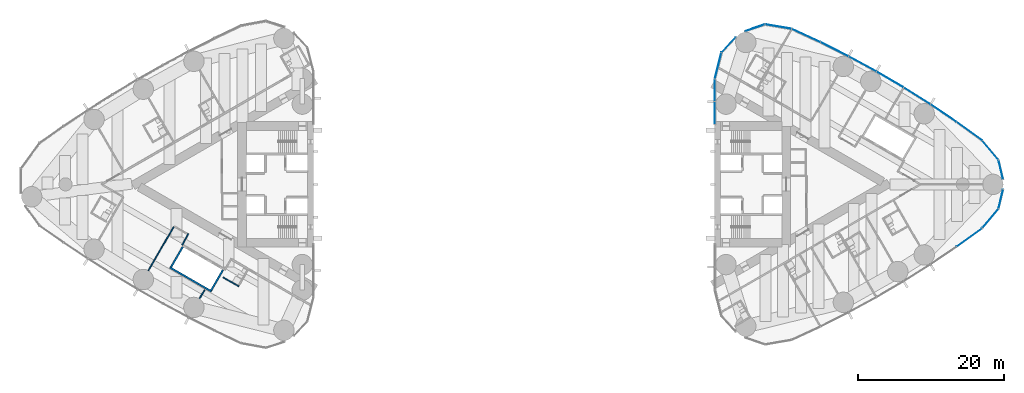
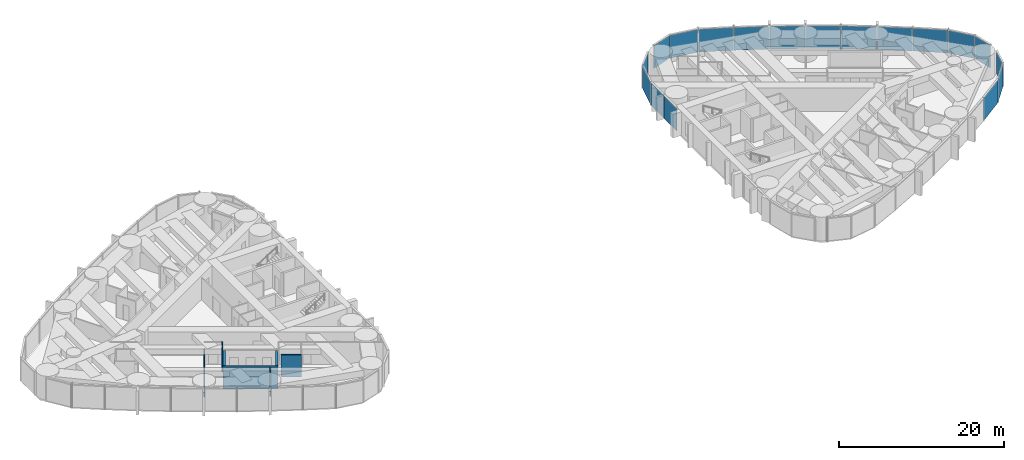
# One storey, part 11 of 19: 18 plates, 7 walls, 3 elements without a shape of their own.
"""IFC4 building model written with IfcOpenShell, lengths in metres."""

import ifcopenshell
import ifcopenshell.guid

model = None  # the IFC model being written
_history = None  # IfcOwnerHistory: only IFC2X3 demands one
_inside = {}  # id of a spatial element -> (the spatial element, [elements in it])
_under = {}  # id of a project, library or spatial element -> (it, [spatial elements below it])
_declared = {}  # id of a project -> (the project, [libraries it declares])
_typed = {}  # id of a type object -> (the type object, [elements of that type])
_made_of = {}  # id of a material, layer set ... -> (it, [elements and type objects made of it])


def new_model(schema):
    """Start an empty IFC model of exactly this schema.

    Asked for "IFC4X3", IfcOpenShell would pick the latest addendum, in which some entities
    have other attributes; the version numbers below select the first issue.
    IFC2X3 requires an IfcOwnerHistory on every rooted entity: one is made here for all.
    """
    global model, _history
    if schema == "IFC4X3":
        model = ifcopenshell.file(schema_version=(4, 3, 0, 0))
    else:
        model = ifcopenshell.file(schema=schema)
    _inside.clear()
    _under.clear()
    _declared.clear()
    _typed.clear()
    _made_of.clear()
    _history = None
    if model.schema == "IFC2X3":
        org = make("IfcOrganization", Name="unknown")
        user = make(
            "IfcPersonAndOrganization",
            ThePerson=make("IfcPerson", FamilyName="unknown"),
            TheOrganization=org,
        )
        app = make(
            "IfcApplication",
            ApplicationDeveloper=org,
            Version="unknown",
            ApplicationFullName="unknown",
            ApplicationIdentifier="unknown",
        )
        _history = make(
            "IfcOwnerHistory",
            OwningUser=user,
            OwningApplication=app,
            ChangeAction="ADDED",
            CreationDate=0,
        )
    return model


def make(cls, **values):
    """One entity of the class cls with the attributes given. An attribute that is None is left unset."""
    return model.create_entity(
        cls, **{name: value for name, value in values.items() if value is not None}
    )


def rooted(cls, **values):
    """An entity with a GlobalId (a new one), such as an element, a storey or a relation."""
    return make(cls, GlobalId=ifcopenshell.guid.new(), OwnerHistory=_history, **values)


def si_unit(unit_type, name, prefix=None):
    """IfcSIUnit, for example si_unit("LENGTHUNIT", "METRE", prefix="MILLI")."""
    return make("IfcSIUnit", UnitType=unit_type, Prefix=prefix, Name=name)


def assignment(units):
    """IfcUnitAssignment: the units of a project."""
    return None if units is None else make("IfcUnitAssignment", Units=units)


def point(xyz):
    """IfcCartesianPoint."""
    return None if xyz is None else make("IfcCartesianPoint", Coordinates=xyz)


def direction(xyz):
    """IfcDirection."""
    return None if xyz is None else make("IfcDirection", DirectionRatios=xyz)


def frame(location, z_axis=None, x_axis=None):
    """IfcAxis2Placement3D, a coordinate frame: its origin and axes. An axis left out is left unset."""
    return make(
        "IfcAxis2Placement3D",
        Location=point(location),
        Axis=direction(z_axis),
        RefDirection=direction(x_axis),
    )


def frame_2d(location, x_axis=None):
    """IfcAxis2Placement2D, a coordinate frame in the plane: its origin and x axis."""
    return make(
        "IfcAxis2Placement2D", Location=point(location), RefDirection=direction(x_axis)
    )


def origin():
    """The frame at (0, 0, 0) with its axes left unset."""
    return frame((0.0, 0.0, 0.0))


def origin_2d():
    """The frame at (0, 0) in the plane with its x axis left unset."""
    return frame_2d((0.0, 0.0))


def place(relative_to, where):
    """IfcLocalPlacement: puts the frame where relative to a parent placement (None: the world)."""
    return make(
        "IfcLocalPlacement", PlacementRelTo=relative_to, RelativePlacement=where
    )


def context(
    kind, dimensions, precision=None, world=None, true_north=None, identifier=None
):
    """IfcGeometricRepresentationContext, for example the 3D "Model" context."""
    return make(
        "IfcGeometricRepresentationContext",
        ContextIdentifier=identifier,
        ContextType=kind,
        CoordinateSpaceDimension=dimensions,
        Precision=precision,
        WorldCoordinateSystem=world,
        TrueNorth=true_north,
    )


def subcontext(parent, identifier, kind, view, scale=None):
    """IfcGeometricRepresentationSubContext, for example "Body" below "Model"."""
    return make(
        "IfcGeometricRepresentationSubContext",
        ContextIdentifier=identifier,
        ContextType=kind,
        ParentContext=parent,
        TargetScale=scale,
        TargetView=view,
    )


def project(units=None, contexts=None):
    """IfcProject with its units and contexts."""
    return rooted(
        "IfcProject",
        Name="project",
        RepresentationContexts=contexts,
        UnitsInContext=assignment(units),
    )


def spatial(cls, under=None, at=None, **own):
    """A site, building, storey or space (cls), placed at a placement, below another one or the project."""
    s = rooted(cls, ObjectPlacement=at, **own)
    if under is not None:
        _under.setdefault(under.id(), (under, []))[1].append(s)
    return s


def profile(cls, at=None, kind="AREA", **sizes):
    """A parametric profile (cls). Its sizes go by their IFC names, for example OverallWidth=200.0."""
    return make(cls, ProfileType=kind, Position=at, **sizes)


def rectangle(**sizes):
    """IfcRectangleProfileDef."""
    return profile("IfcRectangleProfileDef", **sizes)


def extrude(swept, where, along, depth):
    """IfcExtrudedAreaSolid: the profile swept, set in the frame where, extruded along a direction by depth."""
    return make(
        "IfcExtrudedAreaSolid",
        SweptArea=swept,
        Position=where,
        ExtrudedDirection=direction(along),
        Depth=depth,
    )


def shape(context_of_items, identifier, shape_type, items):
    """IfcShapeRepresentation: the items that make up one representation, for example the "Body"."""
    return make(
        "IfcShapeRepresentation",
        ContextOfItems=context_of_items,
        RepresentationIdentifier=identifier,
        RepresentationType=shape_type,
        Items=items,
    )


def material(Name=None, Category=None):
    """IfcMaterial."""
    return make("IfcMaterial", Name=Name, Category=Category)


def layer(
    of_material, thickness, ventilated=None, Name=None, Category=None, Priority=None
):
    """IfcMaterialLayer: one layer of a wall or slab, of a material (None: an air gap)."""
    return make(
        "IfcMaterialLayer",
        Material=of_material,
        LayerThickness=thickness,
        IsVentilated=ventilated,
        Name=Name,
        Category=Category,
        Priority=Priority,
    )


def layer_set(layers, Name=None):
    """IfcMaterialLayerSet."""
    return make("IfcMaterialLayerSet", MaterialLayers=layers, LayerSetName=Name)


def made_of(thing, what):
    """Note that an element or type object is made of a material, layer set ...; save() writes the relation."""
    if what is not None:
        _made_of.setdefault(what.id(), (what, []))[1].append(thing)
    return thing


def type_object(cls, material=None, **own):
    """A type object (cls), such as IfcWallType, which elements share."""
    return made_of(rooted(cls, **own), material)


def element(
    cls,
    number,
    at=None,
    inside=None,
    cuts=None,
    type_object=None,
    material=None,
    context=None,
    identifier="Body",
    shape_type=None,
    held_by="IfcProductDefinitionShape",
    body=None,
    shapes=None,
    **own,
):
    """One element of the class cls, such as IfcWall. Its Tag is "e" and its number.

    at: its placement. inside: the storey or other place that contains it. cuts: it is an
    opening in that element (IfcRelVoidsElement). A single representation is given by context,
    identifier, shape_type and body (its items); several are given by shapes. held_by: the class
    of the entity that holds the representations. save() writes the other relations.
    """
    e = rooted(cls, Tag="e%d" % number, ObjectPlacement=at, **own)
    if body is not None:
        shapes = [shape(context, identifier, shape_type, body)]
    if shapes is not None:
        e.Representation = make(held_by, Representations=shapes)
    if inside is not None:
        _inside.setdefault(inside.id(), (inside, []))[1].append(e)
    if cuts is not None:
        rooted(
            "IfcRelVoidsElement", RelatingBuildingElement=cuts, RelatedOpeningElement=e
        )
    if type_object is not None:
        _typed.setdefault(type_object.id(), (type_object, []))[1].append(e)
    return made_of(e, material)


def aggregate(whole, parts):
    """IfcRelAggregates: a whole, such as a stair, and the parts it consists of."""
    return rooted("IfcRelAggregates", RelatingObject=whole, RelatedObjects=parts)


def save(model, path):
    """Write the relations noted so far, then the file.

    IfcRelAggregates (storeys below a building ...), IfcRelContainedInSpatialStructure (elements
    in a storey), IfcRelDefinesByType, IfcRelAssociatesMaterial and IfcRelDeclares: one each for
    every whole, place, type object, material and project.
    """
    for whole, parts in _under.values():
        aggregate(whole, parts)
    for where, things in _inside.values():
        rooted(
            "IfcRelContainedInSpatialStructure",
            RelatedElements=things,
            RelatingStructure=where,
        )
    for kind, things in _typed.values():
        rooted("IfcRelDefinesByType", RelatedObjects=things, RelatingType=kind)
    for what, things in _made_of.values():
        rooted("IfcRelAssociatesMaterial", RelatedObjects=things, RelatingMaterial=what)
    for by, libraries in _declared.values():
        rooted("IfcRelDeclares", RelatingContext=by, RelatedDefinitions=libraries)
    model.write(path)


model = new_model("IFC4")

# Units and contexts
model_context = context("Model", 3, precision=1e-05, world=origin(), true_north=direction((0.0, 1.0)))
body_context = subcontext(model_context, "Body", "Model", "MODEL_VIEW")
ifc_project = project(units=[si_unit("LENGTHUNIT", "METRE"), si_unit("AREAUNIT", "SQUARE_METRE"), si_unit("VOLUMEUNIT", "CUBIC_METRE"), si_unit("PLANEANGLEUNIT", "RADIAN"), si_unit("MASSUNIT", "GRAM", prefix="KILO")], contexts=[model_context])

# Site, building, storey
site_placement = place(None, origin())
site = spatial("IfcSite", under=ifc_project, at=site_placement, CompositionType="ELEMENT")
building_placement = place(site_placement, origin())
building = spatial("IfcBuilding", under=site, at=building_placement, Name="Lancet Gate Hotel", CompositionType="ELEMENT")
storey_placement = place(building_placement, frame((0.0, 0.0, 191.300048828125)))
storey = spatial("IfcBuildingStorey", under=building, at=storey_placement, Name="L51", CompositionType="ELEMENT", Elevation=191.300048828125)

# Curtain wall, plates
ifc_material_1 = material(Name="Aluminium curtain wall", Category="aluminium")
curtain_wall_type = type_object("IfcCurtainWallType", Name="Tower unitised curtain wall", PredefinedType="USERDEFINED", material=ifc_material_1)
curtain_wall_1_placement = place(storey_placement, origin())
curtain_wall_1 = element("IfcCurtainWall", 1, at=curtain_wall_1_placement, inside=storey, type_object=curtain_wall_type, Name="T2 L51 curtain wall 2", ObjectType="UNITISED CURTAIN WALL", PredefinedType="USERDEFINED")
ifc_material_2 = material(Name="Glass double glazed unit 8-16-6", Category="glass")
ifc_layer_1 = layer(ifc_material_2, 0.030029296875)
ifc_layer_set_1 = layer_set([ifc_layer_1], Name="Vision panel double glazed")
plate_type = type_object("IfcPlateType", Name="Vision panel double glazed", PredefinedType="CURTAIN_PANEL", material=ifc_layer_set_1)
plate_1_placement = place(storey_placement, frame((62.417236328125, -7.279541015625, 0.0), z_axis=(0.0, 0.0, 1.0), x_axis=(0.810891442127, 0.585196607206, 0.0)))
plate_1 = element("IfcPlate", 2, at=plate_1_placement, type_object=plate_type, Name="T2 L51 curtain wall 2 panel 9", PredefinedType="CURTAIN_PANEL", context=body_context, shape_type="SweptSolid", body=[
    extrude(rectangle(XDim=4.26904296875, YDim=0.030029296875, at=origin_2d()), origin(), (0.0, 0.0, 1.0), 3.35009765625),
])
plate_2_placement = place(storey_placement, frame((65.283935546875, -4.68701171875, 0.0), z_axis=(0.0, 0.0, 1.0), x_axis=(0.642198636854, 0.766538264422, 0.0)))
plate_2 = element("IfcPlate", 3, at=plate_2_placement, type_object=plate_type, Name="T2 L51 curtain wall 2 panel 10", PredefinedType="CURTAIN_PANEL", context=body_context, shape_type="SweptSolid", body=[
    extrude(rectangle(XDim=3.390380859375, YDim=0.030029296875, at=origin_2d()), origin(), (0.0, 0.0, 1.0), 3.35009765625),
])
plate_3_placement = place(storey_placement, frame((66.710693359375, -2.0234375, 0.0), z_axis=(0.0, 0.0, 1.0), x_axis=(0.230366568544, 0.973103922558, 0.0)))
plate_3 = element("IfcPlate", 4, at=plate_3_placement, type_object=plate_type, Name="T2 L51 curtain wall 2 panel 11", PredefinedType="CURTAIN_PANEL", context=body_context, shape_type="SweptSolid", body=[
    extrude(rectangle(XDim=2.687255859375, YDim=0.030029296875, at=origin_2d()), origin(), (0.0, 0.0, 1.0), 3.35009765625),
])
aggregate(curtain_wall_1, [plate_1, plate_2, plate_3])

curtain_wall_2_placement = place(storey_placement, origin())
curtain_wall_2 = element("IfcCurtainWall", 5, at=curtain_wall_2_placement, inside=storey, type_object=curtain_wall_type, Name="T2 L51 curtain wall 3", ObjectType="UNITISED CURTAIN WALL", PredefinedType="USERDEFINED")
plate_4_placement = place(storey_placement, frame((66.710693359375, 2.0234375, 0.0), z_axis=(0.0, 0.0, 1.0), x_axis=(-0.230366568544, 0.973103922558, 0.0)))
plate_4 = element("IfcPlate", 6, at=plate_4_placement, type_object=plate_type, Name="T2 L51 curtain wall 3 panel 1", PredefinedType="CURTAIN_PANEL", context=body_context, shape_type="SweptSolid", body=[
    extrude(rectangle(XDim=2.687255859375, YDim=0.030029296875, at=origin_2d()), origin(), (0.0, 0.0, 1.0), 3.35009765625),
])
plate_5_placement = place(storey_placement, frame((65.283935546875, 4.68701171875, 0.0), z_axis=(0.0, 0.0, 1.0), x_axis=(-0.642198636854, 0.766538264422, 0.0)))
plate_5 = element("IfcPlate", 7, at=plate_5_placement, type_object=plate_type, Name="T2 L51 curtain wall 3 panel 2", PredefinedType="CURTAIN_PANEL", context=body_context, shape_type="SweptSolid", body=[
    extrude(rectangle(XDim=3.390380859375, YDim=0.030029296875, at=origin_2d()), origin(), (0.0, 0.0, 1.0), 3.35009765625),
])
plate_6_placement = place(storey_placement, frame((62.417236328125, 7.279541015625, 0.0), z_axis=(0.0, 0.0, 1.0), x_axis=(-0.810891442127, 0.585196607206, 0.0)))
plate_6 = element("IfcPlate", 8, at=plate_6_placement, type_object=plate_type, Name="T2 L51 curtain wall 3 panel 3", PredefinedType="CURTAIN_PANEL", context=body_context, shape_type="SweptSolid", body=[
    extrude(rectangle(XDim=4.26904296875, YDim=0.030029296875, at=origin_2d()), origin(), (0.0, 0.0, 1.0), 3.35009765625),
])
plate_7_placement = place(storey_placement, frame((58.863525390625, 9.75927734375, 0.0), z_axis=(0.0, 0.0, 1.0), x_axis=(-0.829038793948, 0.559191092677, 0.0)))
plate_7 = element("IfcPlate", 9, at=plate_7_placement, type_object=plate_type, Name="T2 L51 curtain wall 3 panel 4", PredefinedType="CURTAIN_PANEL", context=body_context, shape_type="SweptSolid", body=[
    extrude(rectangle(XDim=4.26904296875, YDim=0.030029296875, at=origin_2d()), origin(), (0.0, 0.0, 1.0), 3.35009765625),
])
plate_8_placement = place(storey_placement, frame((55.233154296875, 12.125244140625, 0.0), z_axis=(0.0, 0.0, 1.0), x_axis=(-0.846352453444, 0.532623248225, 0.0)))
plate_8 = element("IfcPlate", 10, at=plate_8_placement, type_object=plate_type, Name="T2 L51 curtain wall 3 panel 5", PredefinedType="CURTAIN_PANEL", context=body_context, shape_type="SweptSolid", body=[
    extrude(rectangle(XDim=4.26904296875, YDim=0.030029296875, at=origin_2d()), origin(), (0.0, 0.0, 1.0), 3.35009765625),
])
plate_9_placement = place(storey_placement, frame((51.529296875, 14.374755859375, 0.0), z_axis=(0.0, 0.0, 1.0), x_axis=(-0.862815009772, 0.505519790822, 0.0)))
plate_9 = element("IfcPlate", 11, at=plate_9_placement, type_object=plate_type, Name="T2 L51 curtain wall 3 panel 6", PredefinedType="CURTAIN_PANEL", context=body_context, shape_type="SweptSolid", body=[
    extrude(rectangle(XDim=4.26904296875, YDim=0.030029296875, at=origin_2d()), origin(), (0.0, 0.0, 1.0), 3.35009765625),
])
plate_10_placement = place(storey_placement, frame((47.756103515625, 16.505859375, 0.0), z_axis=(0.0, 0.0, 1.0), x_axis=(-0.878409907967, 0.477907976063, 0.0)))
plate_10 = element("IfcPlate", 12, at=plate_10_placement, type_object=plate_type, Name="T2 L51 curtain wall 3 panel 7", PredefinedType="CURTAIN_PANEL", context=body_context, shape_type="SweptSolid", body=[
    extrude(rectangle(XDim=4.26904296875, YDim=0.030029296875, at=origin_2d()), origin(), (0.0, 0.0, 1.0), 3.35009765625),
])
plate_11_placement = place(storey_placement, frame((43.917236328125, 18.516357421875, 0.0), z_axis=(0.0, 0.0, 1.0), x_axis=(-0.893121465596, 0.449815570752, 0.0)))
plate_11 = element("IfcPlate", 13, at=plate_11_placement, type_object=plate_type, Name="T2 L51 curtain wall 3 panel 8", PredefinedType="CURTAIN_PANEL", context=body_context, shape_type="SweptSolid", body=[
    extrude(rectangle(XDim=4.26904296875, YDim=0.030029296875, at=origin_2d()), origin(), (0.0, 0.0, 1.0), 3.35009765625),
])
plate_12_placement = place(storey_placement, frame((40.0166015625, 20.40380859375, 0.0), z_axis=(0.0, 0.0, 1.0), x_axis=(-0.906934888522, 0.421270824982, 0.0)))
plate_12 = element("IfcPlate", 14, at=plate_12_placement, type_object=plate_type, Name="T2 L51 curtain wall 3 panel 9", PredefinedType="CURTAIN_PANEL", context=body_context, shape_type="SweptSolid", body=[
    extrude(rectangle(XDim=4.26904296875, YDim=0.030029296875, at=origin_2d()), origin(), (0.0, 0.0, 1.0), 3.35009765625),
])
plate_13_placement = place(storey_placement, frame((36.231689453125, 21.629638671875, 0.0), z_axis=(0.0, 0.0, 1.0), x_axis=(-0.985539649572, 0.169444973729, 0.0)))
plate_13 = element("IfcPlate", 15, at=plate_13_placement, type_object=plate_type, Name="T2 L51 curtain wall 3 panel 10", PredefinedType="CURTAIN_PANEL", context=body_context, shape_type="SweptSolid", body=[
    extrude(rectangle(XDim=3.62744140625, YDim=0.030029296875, at=origin_2d()), origin(), (0.0, 0.0, 1.0), 3.35009765625),
])
plate_14_placement = place(storey_placement, frame((33.02197265625, 21.470703125, 0.0), z_axis=(0.0, 0.0, 1.0), x_axis=(-0.946952368511, -0.321373943827, 0.0)))
plate_14 = element("IfcPlate", 16, at=plate_14_placement, type_object=plate_type, Name="T2 L51 curtain wall 3 panel 11", PredefinedType="CURTAIN_PANEL", context=body_context, shape_type="SweptSolid", body=[
    extrude(rectangle(XDim=2.871337890625, YDim=0.030029296875, at=origin_2d()), origin(), (0.0, 0.0, 1.0), 3.35009765625),
])
aggregate(curtain_wall_2, [plate_4, plate_5, plate_6, plate_7, plate_8, plate_9, plate_10, plate_11, plate_12, plate_13, plate_14])

curtain_wall_3_placement = place(storey_placement, origin())
curtain_wall_3 = element("IfcCurtainWall", 17, at=curtain_wall_3_placement, inside=storey, type_object=curtain_wall_type, Name="T2 L51 curtain wall 4", ObjectType="UNITISED CURTAIN WALL", PredefinedType="USERDEFINED")
plate_15_placement = place(storey_placement, frame((29.4052734375, 19.122314453125, 0.0), z_axis=(0.0, 0.0, 1.0), x_axis=(-0.67883123083, -0.734294327943, 0.0)))
plate_15 = element("IfcPlate", 18, at=plate_15_placement, type_object=plate_type, Name="T2 L51 curtain wall 4 panel 1", PredefinedType="CURTAIN_PANEL", context=body_context, shape_type="SweptSolid", body=[
    extrude(rectangle(XDim=2.87060546875, YDim=0.030029296875, at=origin_2d()), origin(), (0.0, 0.0, 1.0), 3.35009765625),
])
plate_16_placement = place(storey_placement, frame((27.95458984375, 16.2548828125, 0.0), z_axis=(0.0, 0.0, 1.0), x_axis=(-0.246166705764, -0.969227503207, 0.0)))
plate_16 = element("IfcPlate", 19, at=plate_16_placement, type_object=plate_type, Name="T2 L51 curtain wall 4 panel 2", PredefinedType="CURTAIN_PANEL", context=body_context, shape_type="SweptSolid", body=[
    extrude(rectangle(XDim=3.62744140625, YDim=0.030029296875, at=origin_2d()), origin(), (0.0, 0.0, 1.0), 3.35009765625),
])
plate_17_placement = place(storey_placement, frame((27.5, 12.899169921875, 0.0), z_axis=(0.0, 0.0, 1.0), x_axis=(0.0, -1.0, 0.0)))
plate_17 = element("IfcPlate", 20, at=plate_17_placement, type_object=plate_type, Name="T2 L51 curtain wall 4 panel 3", PredefinedType="CURTAIN_PANEL", context=body_context, shape_type="SweptSolid", body=[
    extrude(rectangle(XDim=3.06787109375, YDim=0.030029296875, at=origin_2d()), origin(), (0.0, 0.0, 1.0), 3.35009765625),
])
plate_18_placement = place(storey_placement, frame((27.5, 9.766357421875, 0.0), z_axis=(0.0, 0.0, 1.0), x_axis=(0.0, -1.0, 0.0)))
plate_18 = element("IfcPlate", 21, at=plate_18_placement, type_object=plate_type, Name="T2 L51 curtain wall 4 panel 4", PredefinedType="CURTAIN_PANEL", context=body_context, shape_type="SweptSolid", body=[
    extrude(rectangle(XDim=3.06787109375, YDim=0.030029296875, at=origin_2d()), origin(), (0.0, 0.0, 1.0), 3.35009765625),
])
aggregate(curtain_wall_3, [plate_15, plate_16, plate_17, plate_18])

# Walls
ifc_material_3 = material(Name="Moisture resistant board partition")
ifc_layer_2 = layer(ifc_material_3, 0.14990234375)
ifc_layer_set_2 = layer_set([ifc_layer_2], Name="Bathroom wall 150")
wall_type_1 = type_object("IfcWallType", Name="Bathroom wall 150", PredefinedType="PARTITIONING", material=ifc_layer_set_2)
wall_1_placement = place(storey_placement, frame((-37.738037109375, -13.9892578125, 0.0), z_axis=(0.0, 0.0, 1.0), x_axis=(-0.86604923931, 0.499958713387, 0.0)))
element("IfcWall", 22, at=wall_1_placement, inside=storey, type_object=wall_type_1, Name="T1 bathroom wall 150 L51", PredefinedType="PARTITIONING", context=body_context, shape_type="SweptSolid", body=[
    extrude(rectangle(XDim=2.474853515625, YDim=0.14990234375, at=frame_2d((1.2373046875, 0.0))), origin(), (0.0, 0.0, 1.0), 3.25),
])
ifc_material_4 = material(Name="Gypsum board partition")
ifc_layer_3 = layer(ifc_material_4, 0.25)
ifc_layer_set_3 = layer_set([ifc_layer_3], Name="Lift shaft partition 250")
wall_type_2 = type_object("IfcWallType", Name="Lift shaft partition 250", PredefinedType="PARTITIONING", material=ifc_layer_set_3)
wall_2_placement = place(storey_placement, frame((-41.482421875, -14.685791015625, 0.0), z_axis=(0.0, 0.0, 1.0), x_axis=(-0.86603344179, 0.499986077507, 0.0)))
element("IfcWall", 23, at=wall_2_placement, inside=storey, type_object=wall_type_2, Name="T1 lift shaft wall HL L51", PredefinedType="PARTITIONING", context=body_context, shape_type="SweptSolid", body=[
    extrude(rectangle(XDim=6.600341796875, YDim=0.25, at=frame_2d((3.30029296875, 0.0))), origin(), (0.0, 0.0, 1.0), 3.25),
])
for number, where, z_axis, x_axis, name in (
    (24, (-39.92822265625, -11.742919921875, 0.0), (0.0, 0.0, 1.0), (-0.499929347863, -0.866066190972, 0.0), "T1 lift shaft wall HL L51"),
    (25, (-45.427734375, -8.568115234375, 0.0), (0.0, 0.0, 1.0), (-0.499929347863, -0.866066190972, 0.0), "T1 lift shaft wall HL L51"),
):
    element("IfcWall", number, at=place(storey_placement, frame(where, z_axis=z_axis, x_axis=x_axis)), inside=storey, type_object=wall_type_2, Name=name, PredefinedType="PARTITIONING", context=body_context, shape_type="SweptSolid", body=[
        extrude(rectangle(XDim=3.20068359375, YDim=0.25, at=frame_2d((1.600341796875, 0.0))), origin(), (0.0, 0.0, 1.0), 3.25),
    ])
ifc_material_5 = material(Name="Gypsum board partition")
ifc_layer_4 = layer(ifc_material_5, 0.14990234375)
ifc_layer_set_4 = layer_set([ifc_layer_4], Name="Party wall 150")
wall_type_3 = type_object("IfcWallType", Name="Party wall 150", PredefinedType="PARTITIONING", material=ifc_layer_set_4)
wall_3_placement = place(storey_placement, frame((-46.6787109375, -5.8251953125, 0.0), z_axis=(0.0, 0.0, 1.0), x_axis=(-0.500006839597, -0.866021454905, 0.0)))
element("IfcWall", 26, at=wall_3_placement, inside=storey, type_object=wall_type_3, Name="T1 party wall 150 L51", PredefinedType="PARTITIONING", context=body_context, shape_type="SweptSolid", body=[
    extrude(rectangle(XDim=6.9111328125, YDim=0.14990234375, at=frame_2d((3.45556640625, 0.0))), origin(), (0.0, 0.0, 1.0), 2.300048828125),
])
wall_4_placement = place(storey_placement, frame((-42.429443359375, -14.45654296875, 0.0), z_axis=(0.0, 0.0, 1.0), x_axis=(-0.5000578829, -0.865991982497, 0.0)))
element("IfcWall", 27, at=wall_4_placement, inside=storey, type_object=wall_type_3, Name="T1 party wall 150 L51", PredefinedType="PARTITIONING", context=body_context, shape_type="SweptSolid", body=[
    extrude(rectangle(XDim=1.406982421875, YDim=0.14990234375, at=frame_2d((0.70361328125, 0.0))), origin(), (0.0, 0.0, 1.0), 3.25),
])
ifc_material_6 = material(Name="Gypsum board partition")
ifc_layer_5 = layer(ifc_material_6, 0.14990234375)
ifc_layer_set_5 = layer_set([ifc_layer_5], Name="Service room wall 150")
wall_type_4 = type_object("IfcWallType", Name="Service room wall 150", PredefinedType="PARTITIONING", material=ifc_layer_set_5)
wall_5_placement = place(storey_placement, frame((-44.652099609375, -6.764404296875, 0.0), z_axis=(0.0, 0.0, 1.0), x_axis=(-0.485424724123, -0.874278466629, 0.0)))
element("IfcWall", 28, at=wall_5_placement, inside=storey, type_object=wall_type_4, Name="T1 service room wall 150 L51", PredefinedType="PARTITIONING", context=body_context, shape_type="SweptSolid", body=[
    extrude(rectangle(XDim=1.80517578125, YDim=0.14990234375, at=frame_2d((0.902587890625, 0.0))), origin(), (0.0, 0.0, 1.0), 3.25),
])

save(model, "model.ifc")
